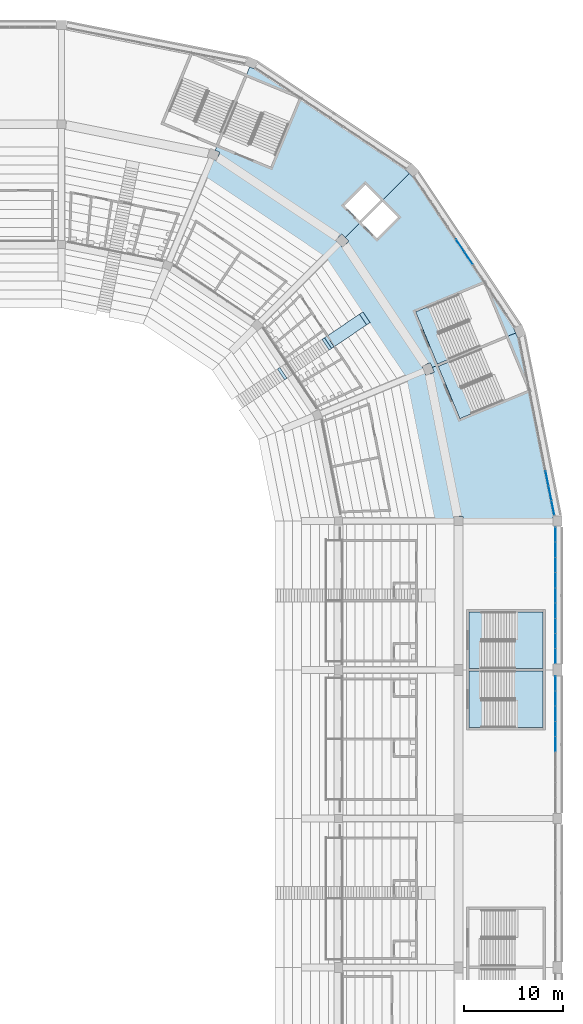
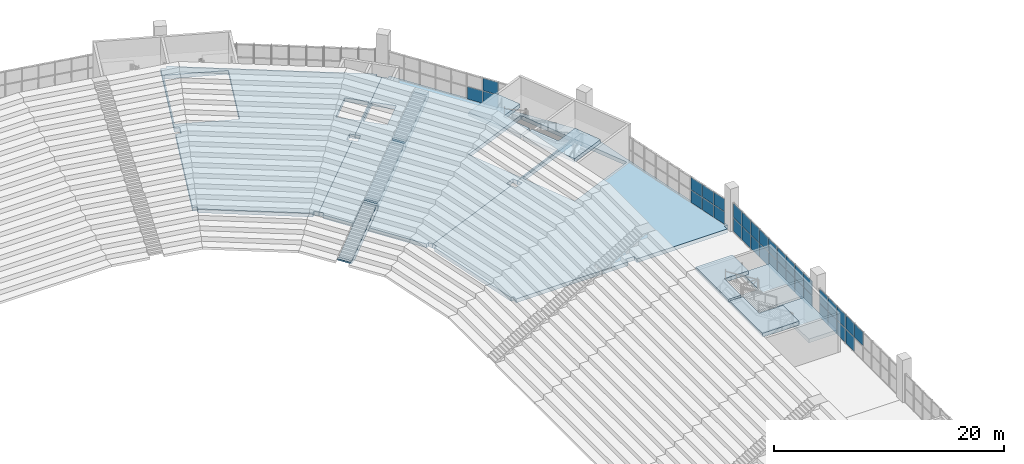
# One storey, part 82 of 249: 36 plates, 12 slabs, 8 elements without a shape of their own.
"""IFC4 building model written with IfcOpenShell, lengths in metres."""

from ifc_helpers import new_model, si_unit, direction, frame, origin, origin_2d, place, context, subcontext, project, spatial, polyline, rectangle, outline, extrude, material, layer, layer_set, type_object, element, aggregate, save


model = new_model("IFC4")

# Units and contexts
model_context = context("Model", 3, precision=1e-05, world=origin(), true_north=direction((0.0, 1.0)))
body_context = subcontext(model_context, "Body", "Model", "MODEL_VIEW")
ifc_project = project(units=[si_unit("LENGTHUNIT", "METRE"), si_unit("AREAUNIT", "SQUARE_METRE"), si_unit("VOLUMEUNIT", "CUBIC_METRE"), si_unit("PLANEANGLEUNIT", "RADIAN"), si_unit("MASSUNIT", "GRAM", prefix="KILO")], contexts=[model_context])

# Site, building, storey
site_placement = place(None, origin())
site = spatial("IfcSite", under=ifc_project, at=site_placement, CompositionType="ELEMENT")
building_placement = place(site_placement, origin())
building = spatial("IfcBuilding", under=site, at=building_placement, Name="Ogive Plaza Stadium", CompositionType="ELEMENT")
storey_placement = place(building_placement, frame((0.0, 0.0, 13.5)))
storey = spatial("IfcBuildingStorey", under=building, at=storey_placement, Name="L03", CompositionType="ELEMENT", Elevation=13.5)

# Slabs
ifc_material_1 = material(Name="Concrete C40/50", Category="concrete")
ifc_layer_1 = layer(ifc_material_1, 0.73486328125)
ifc_layer_set_1 = layer_set([ifc_layer_1], Name="Concrete C40/50")
ifc_layer_2 = layer(ifc_material_1, 0.449951171875)
ifc_layer_set_2 = layer_set([ifc_layer_2], Name="Concrete C40/50")
slab_type_1 = type_object("IfcSlabType", Name="Aisle stair slab 1300", PredefinedType="USERDEFINED", material=ifc_layer_set_2)
slab_1_placement = place(storey_placement, frame((51.876708984375, 64.44482421875, -13.5), z_axis=(0.0, 0.0, 1.0), x_axis=(0.831469612303, 0.55557023302, 0.0)))
element("IfcSlab", 1, at=slab_1_placement, inside=storey, type_object=slab_type_1, material=ifc_layer_set_1, Name="Aisle stair SA39U slab 1", ObjectType="AISLE STAIR SLAB", PredefinedType="USERDEFINED", context=body_context, shape_type="SweptSolid", body=[
    extrude(outline(polyline([(0.0, 14.0), (0.2958984375, 14.0), (5.10009765625, 16.825927734375), (5.39990234375, 16.825927734375), (5.39990234375, 16.300048828125), (5.359375, 16.27734375), (5.209228515625, 16.194091796875), (5.059326171875, 16.110595703125), (4.9091796875, 16.02734375), (4.75927734375, 15.944091796875), (4.609375, 15.860595703125), (4.459228515625, 15.77734375), (4.309326171875, 15.694091796875), (4.1591796875, 15.610595703125), (4.00927734375, 15.52734375), (3.859375, 15.444091796875), (3.709228515625, 15.360595703125), (3.559326171875, 15.27734375), (3.4091796875, 15.194091796875), (3.25927734375, 15.110595703125), (3.109375, 15.02734375), (2.959228515625, 14.944091796875), (2.809326171875, 14.860595703125), (2.6591796875, 14.77734375), (2.50927734375, 14.694091796875), (2.359375, 14.610595703125), (2.209228515625, 14.52734375), (2.059326171875, 14.444091796875), (1.9091796875, 14.360595703125), (1.75927734375, 14.27734375), (1.609375, 14.194091796875), (1.459228515625, 14.110595703125), (1.309326171875, 14.02734375), (1.1591796875, 13.944091796875), (1.00927734375, 13.860595703125), (0.859375, 13.77734375), (0.709228515625, 13.75), (0.559326171875, 13.75), (0.4091796875, 13.75), (0.25927734375, 13.75), (0.109375, 13.75), (0.0, 14.0)])), frame((0.0, 0.64990234375, 0.0), z_axis=(0.0, -1.0, 0.0), x_axis=(1.0, 0.0, 0.0)), (0.0, 0.0, 1.0), 1.300048828125),
])
ifc_layer_3 = layer(ifc_material_1, 0.75927734375)
ifc_layer_set_3 = layer_set([ifc_layer_3], Name="Concrete C40/50")
slab_2_placement = place(storey_placement, frame((56.366455078125, 67.44482421875, -13.5), z_axis=(0.0, 0.0, 1.0), x_axis=(0.831469612303, 0.55557023302, 0.0)))
element("IfcSlab", 2, at=slab_2_placement, inside=storey, type_object=slab_type_1, material=ifc_layer_set_3, Name="Aisle stair SA39U slab 2", ObjectType="AISLE STAIR SLAB", PredefinedType="USERDEFINED", context=body_context, shape_type="SweptSolid", body=[
    extrude(outline(polyline([(0.0, 17.0), (0.2958984375, 17.0), (5.10009765625, 19.825927734375), (5.39990234375, 19.825927734375), (5.39990234375, 19.300048828125), (5.25, 19.216796875), (5.10009765625, 19.13330078125), (4.949951171875, 19.050048828125), (4.800048828125, 18.966796875), (4.64990234375, 18.88330078125), (4.5, 18.800048828125), (4.35009765625, 18.716796875), (4.199951171875, 18.63330078125), (4.050048828125, 18.550048828125), (3.89990234375, 18.466796875), (3.75, 18.38330078125), (3.60009765625, 18.300048828125), (3.449951171875, 18.216796875), (3.300048828125, 18.13330078125), (3.14990234375, 18.050048828125), (3.0, 17.966796875), (2.85009765625, 17.88330078125), (2.699951171875, 17.800048828125), (2.550048828125, 17.716796875), (2.39990234375, 17.63330078125), (2.25, 17.550048828125), (2.10009765625, 17.466796875), (1.949951171875, 17.38330078125), (1.800048828125, 17.300048828125), (1.64990234375, 17.216796875), (1.5, 17.13330078125), (1.35009765625, 17.050048828125), (1.199951171875, 16.966796875), (1.050048828125, 16.88330078125), (0.89990234375, 16.800048828125), (0.75, 16.716796875), (0.60009765625, 16.63330078125), (0.449951171875, 16.550048828125), (0.300048828125, 16.466796875), (0.14990234375, 16.38330078125), (0.0, 16.300048828125), (0.0, 17.0)])), frame((0.0, 0.64990234375, 0.0), z_axis=(0.0, -1.0, 0.0), x_axis=(1.0, 0.0, 0.0)), (0.0, 0.0, 1.0), 1.300048828125),
])
ifc_layer_4 = layer(ifc_material_1, 0.81640625)
ifc_layer_set_4 = layer_set([ifc_layer_4], Name="Concrete C40/50")
slab_3_placement = place(storey_placement, frame((60.8564453125, 70.44482421875, -13.5), z_axis=(0.0, 0.0, 1.0), x_axis=(0.831469612303, 0.55557023302, 0.0)))
element("IfcSlab", 3, at=slab_3_placement, inside=storey, type_object=slab_type_1, material=ifc_layer_set_4, Name="Aisle stair SA39U slab 3", ObjectType="AISLE STAIR SLAB", PredefinedType="USERDEFINED", context=body_context, shape_type="SweptSolid", body=[
    extrude(outline(polyline([(0.0, 20.0), (0.2958984375, 20.0), (4.25, 22.325927734375), (4.675537109375, 22.325927734375), (4.675537109375, 21.897705078125), (4.64990234375, 21.88330078125), (4.5, 21.800048828125), (4.35009765625, 21.716796875), (4.199951171875, 21.63330078125), (4.050048828125, 21.550048828125), (3.89990234375, 21.466796875), (3.75, 21.38330078125), (3.60009765625, 21.300048828125), (3.449951171875, 21.216796875), (3.300048828125, 21.13330078125), (3.14990234375, 21.050048828125), (3.0, 20.966796875), (2.85009765625, 20.88330078125), (2.699951171875, 20.800048828125), (2.550048828125, 20.716796875), (2.39990234375, 20.63330078125), (2.25, 20.550048828125), (2.10009765625, 20.466796875), (1.949951171875, 20.38330078125), (1.800048828125, 20.300048828125), (1.64990234375, 20.216796875), (1.5, 20.13330078125), (1.35009765625, 20.050048828125), (1.199951171875, 19.966796875), (1.050048828125, 19.88330078125), (0.89990234375, 19.800048828125), (0.75, 19.716796875), (0.60009765625, 19.63330078125), (0.449951171875, 19.550048828125), (0.300048828125, 19.466796875), (0.14990234375, 19.38330078125), (0.0, 19.300048828125), (0.0, 20.0)])), frame((0.0, 0.64990234375, 0.0), z_axis=(0.0, -1.0, 0.0), x_axis=(1.0, 0.0, 0.0)), (0.0, 0.0, 1.0), 1.300048828125),
])

# Curtain wall, plates
ifc_material_2 = material(Name="Bronze-anodised aluminium with laminated glass", Category="aluminium")
curtain_wall_type = type_object("IfcCurtainWallType", Name="Lancet curtain wall", PredefinedType="NOTDEFINED", material=ifc_material_2)
curtain_wall_1_placement = place(storey_placement, origin())
curtain_wall_1 = element("IfcCurtainWall", 4, at=curtain_wall_1_placement, inside=storey, type_object=curtain_wall_type, Name="CURTAIN WALL B01 L03", PredefinedType="NOTDEFINED")
ifc_material_3 = material(Name="Laminated glass", Category="glass")
ifc_layer_5 = layer(ifc_material_3, 0.028076171875)
ifc_layer_set_5 = layer_set([ifc_layer_5], Name="Laminated glass panel 28")
plate_type = type_object("IfcPlateType", Name="Laminated glass panel 28", PredefinedType="CURTAIN_PANEL", material=ifc_layer_set_5)
plate_1_placement = place(storey_placement, frame((83.800048828125, 51.120849609375, 0.0498046875), z_axis=(0.0, 0.0, 1.0), x_axis=(0.0, -1.0, 0.0)))
plate_1 = element("IfcPlate", 5, at=plate_1_placement, type_object=plate_type, Name="CW-B01-L03 panel 1.1", PredefinedType="CURTAIN_PANEL", context=body_context, shape_type="SweptSolid", body=[
    extrude(rectangle(XDim=1.458251953125, YDim=0.028076171875, at=origin_2d()), origin(), (0.0, 0.0, 1.0), 1.469970703125),
])
plate_2_placement = place(storey_placement, frame((83.800048828125, 51.120849609375, 1.56982421875), z_axis=(0.0, 0.0, 1.0), x_axis=(0.0, -1.0, 0.0)))
plate_2 = element("IfcPlate", 6, at=plate_2_placement, type_object=plate_type, Name="CW-B01-L03 panel 1.2", PredefinedType="CURTAIN_PANEL", context=body_context, shape_type="SweptSolid", body=[
    extrude(rectangle(XDim=1.458251953125, YDim=0.028076171875, at=origin_2d()), origin(), (0.0, 0.0, 1.0), 1.469970703125),
])
plate_3_placement = place(storey_placement, frame((83.800048828125, 49.60009765625, 0.0498046875), z_axis=(0.0, 0.0, 1.0), x_axis=(0.0, -1.0, 0.0)))
plate_3 = element("IfcPlate", 7, at=plate_3_placement, type_object=plate_type, Name="CW-B01-L03 panel 2.1", PredefinedType="CURTAIN_PANEL", context=body_context, shape_type="SweptSolid", body=[
    extrude(rectangle(XDim=1.4833984375, YDim=0.028076171875, at=origin_2d()), origin(), (0.0, 0.0, 1.0), 1.469970703125),
])
plate_4_placement = place(storey_placement, frame((83.800048828125, 49.60009765625, 1.56982421875), z_axis=(0.0, 0.0, 1.0), x_axis=(0.0, -1.0, 0.0)))
plate_4 = element("IfcPlate", 8, at=plate_4_placement, type_object=plate_type, Name="CW-B01-L03 panel 2.2", PredefinedType="CURTAIN_PANEL", context=body_context, shape_type="SweptSolid", body=[
    extrude(rectangle(XDim=1.4833984375, YDim=0.028076171875, at=origin_2d()), origin(), (0.0, 0.0, 1.0), 1.469970703125),
])
plate_5_placement = place(storey_placement, frame((83.800048828125, 48.066650390625, 0.0498046875), z_axis=(0.0, 0.0, 1.0), x_axis=(0.0, -1.0, 0.0)))
plate_5 = element("IfcPlate", 9, at=plate_5_placement, type_object=plate_type, Name="CW-B01-L03 panel 3.1", PredefinedType="CURTAIN_PANEL", context=body_context, shape_type="SweptSolid", body=[
    extrude(rectangle(XDim=1.4833984375, YDim=0.028076171875, at=origin_2d()), origin(), (0.0, 0.0, 1.0), 1.469970703125),
])
plate_6_placement = place(storey_placement, frame((83.800048828125, 48.066650390625, 1.56982421875), z_axis=(0.0, 0.0, 1.0), x_axis=(0.0, -1.0, 0.0)))
plate_6 = element("IfcPlate", 10, at=plate_6_placement, type_object=plate_type, Name="CW-B01-L03 panel 3.2", PredefinedType="CURTAIN_PANEL", context=body_context, shape_type="SweptSolid", body=[
    extrude(rectangle(XDim=1.4833984375, YDim=0.028076171875, at=origin_2d()), origin(), (0.0, 0.0, 1.0), 1.469970703125),
])
plate_7_placement = place(storey_placement, frame((83.800048828125, 46.533447265625, 0.0498046875), z_axis=(0.0, 0.0, 1.0), x_axis=(0.0, -1.0, 0.0)))
plate_7 = element("IfcPlate", 11, at=plate_7_placement, type_object=plate_type, Name="CW-B01-L03 panel 4.1", PredefinedType="CURTAIN_PANEL", context=body_context, shape_type="SweptSolid", body=[
    extrude(rectangle(XDim=1.4833984375, YDim=0.028076171875, at=origin_2d()), origin(), (0.0, 0.0, 1.0), 1.469970703125),
])
plate_8_placement = place(storey_placement, frame((83.800048828125, 46.533447265625, 1.56982421875), z_axis=(0.0, 0.0, 1.0), x_axis=(0.0, -1.0, 0.0)))
plate_8 = element("IfcPlate", 12, at=plate_8_placement, type_object=plate_type, Name="CW-B01-L03 panel 4.2", PredefinedType="CURTAIN_PANEL", context=body_context, shape_type="SweptSolid", body=[
    extrude(rectangle(XDim=1.4833984375, YDim=0.028076171875, at=origin_2d()), origin(), (0.0, 0.0, 1.0), 1.469970703125),
])
plate_9_placement = place(storey_placement, frame((83.800048828125, 45.0, 0.0498046875), z_axis=(0.0, 0.0, 1.0), x_axis=(0.0, -1.0, 0.0)))
plate_9 = element("IfcPlate", 13, at=plate_9_placement, type_object=plate_type, Name="CW-B01-L03 panel 5.1", PredefinedType="CURTAIN_PANEL", context=body_context, shape_type="SweptSolid", body=[
    extrude(rectangle(XDim=1.4833984375, YDim=0.028076171875, at=origin_2d()), origin(), (0.0, 0.0, 1.0), 1.469970703125),
])
plate_10_placement = place(storey_placement, frame((83.800048828125, 45.0, 1.56982421875), z_axis=(0.0, 0.0, 1.0), x_axis=(0.0, -1.0, 0.0)))
plate_10 = element("IfcPlate", 14, at=plate_10_placement, type_object=plate_type, Name="CW-B01-L03 panel 5.2", PredefinedType="CURTAIN_PANEL", context=body_context, shape_type="SweptSolid", body=[
    extrude(rectangle(XDim=1.4833984375, YDim=0.028076171875, at=origin_2d()), origin(), (0.0, 0.0, 1.0), 1.469970703125),
])
plate_11_placement = place(storey_placement, frame((83.800048828125, 43.466552734375, 0.0498046875), z_axis=(0.0, 0.0, 1.0), x_axis=(0.0, -1.0, 0.0)))
plate_11 = element("IfcPlate", 15, at=plate_11_placement, type_object=plate_type, Name="CW-B01-L03 panel 6.1", PredefinedType="CURTAIN_PANEL", context=body_context, shape_type="SweptSolid", body=[
    extrude(rectangle(XDim=1.4833984375, YDim=0.028076171875, at=origin_2d()), origin(), (0.0, 0.0, 1.0), 1.469970703125),
])
plate_12_placement = place(storey_placement, frame((83.800048828125, 43.466552734375, 1.56982421875), z_axis=(0.0, 0.0, 1.0), x_axis=(0.0, -1.0, 0.0)))
plate_12 = element("IfcPlate", 16, at=plate_12_placement, type_object=plate_type, Name="CW-B01-L03 panel 6.2", PredefinedType="CURTAIN_PANEL", context=body_context, shape_type="SweptSolid", body=[
    extrude(rectangle(XDim=1.4833984375, YDim=0.028076171875, at=origin_2d()), origin(), (0.0, 0.0, 1.0), 1.469970703125),
])
plate_13_placement = place(storey_placement, frame((83.800048828125, 41.933349609375, 0.0498046875), z_axis=(0.0, 0.0, 1.0), x_axis=(0.0, -1.0, 0.0)))
plate_13 = element("IfcPlate", 17, at=plate_13_placement, type_object=plate_type, Name="CW-B01-L03 panel 7.1", PredefinedType="CURTAIN_PANEL", context=body_context, shape_type="SweptSolid", body=[
    extrude(rectangle(XDim=1.4833984375, YDim=0.028076171875, at=origin_2d()), origin(), (0.0, 0.0, 1.0), 1.469970703125),
])
plate_14_placement = place(storey_placement, frame((83.800048828125, 41.933349609375, 1.56982421875), z_axis=(0.0, 0.0, 1.0), x_axis=(0.0, -1.0, 0.0)))
plate_14 = element("IfcPlate", 18, at=plate_14_placement, type_object=plate_type, Name="CW-B01-L03 panel 7.2", PredefinedType="CURTAIN_PANEL", context=body_context, shape_type="SweptSolid", body=[
    extrude(rectangle(XDim=1.4833984375, YDim=0.028076171875, at=origin_2d()), origin(), (0.0, 0.0, 1.0), 1.469970703125),
])
plate_15_placement = place(storey_placement, frame((83.800048828125, 40.39990234375, 0.0498046875), z_axis=(0.0, 0.0, 1.0), x_axis=(0.0, -1.0, 0.0)))
plate_15 = element("IfcPlate", 19, at=plate_15_placement, type_object=plate_type, Name="CW-B01-L03 panel 8.1", PredefinedType="CURTAIN_PANEL", context=body_context, shape_type="SweptSolid", body=[
    extrude(rectangle(XDim=1.4833984375, YDim=0.028076171875, at=origin_2d()), origin(), (0.0, 0.0, 1.0), 1.469970703125),
])
plate_16_placement = place(storey_placement, frame((83.800048828125, 40.39990234375, 1.56982421875), z_axis=(0.0, 0.0, 1.0), x_axis=(0.0, -1.0, 0.0)))
plate_16 = element("IfcPlate", 20, at=plate_16_placement, type_object=plate_type, Name="CW-B01-L03 panel 8.2", PredefinedType="CURTAIN_PANEL", context=body_context, shape_type="SweptSolid", body=[
    extrude(rectangle(XDim=1.4833984375, YDim=0.028076171875, at=origin_2d()), origin(), (0.0, 0.0, 1.0), 1.469970703125),
])
plate_17_placement = place(storey_placement, frame((83.800048828125, 38.879150390625, 0.0498046875), z_axis=(0.0, 0.0, 1.0), x_axis=(0.0, -1.0, 0.0)))
plate_17 = element("IfcPlate", 21, at=plate_17_placement, type_object=plate_type, Name="CW-B01-L03 panel 9.1", PredefinedType="CURTAIN_PANEL", context=body_context, shape_type="SweptSolid", body=[
    extrude(rectangle(XDim=1.458251953125, YDim=0.028076171875, at=origin_2d()), origin(), (0.0, 0.0, 1.0), 1.469970703125),
])
plate_18_placement = place(storey_placement, frame((83.800048828125, 38.879150390625, 1.56982421875), z_axis=(0.0, 0.0, 1.0), x_axis=(0.0, -1.0, 0.0)))
plate_18 = element("IfcPlate", 22, at=plate_18_placement, type_object=plate_type, Name="CW-B01-L03 panel 9.2", PredefinedType="CURTAIN_PANEL", context=body_context, shape_type="SweptSolid", body=[
    extrude(rectangle(XDim=1.458251953125, YDim=0.028076171875, at=origin_2d()), origin(), (0.0, 0.0, 1.0), 1.469970703125),
])
aggregate(curtain_wall_1, [plate_1, plate_2, plate_3, plate_4, plate_5, plate_6, plate_7, plate_8, plate_9, plate_10, plate_11, plate_12, plate_13, plate_14, plate_15, plate_16, plate_17, plate_18])

curtain_wall_2_placement = place(storey_placement, origin())
curtain_wall_2 = element("IfcCurtainWall", 23, at=curtain_wall_2_placement, inside=storey, type_object=curtain_wall_type, Name="CURTAIN WALL B02 L03", PredefinedType="NOTDEFINED")
plate_19_placement = place(storey_placement, frame((83.800048828125, 36.120849609375, 0.0498046875), z_axis=(0.0, 0.0, 1.0), x_axis=(0.0, -1.0, 0.0)))
plate_19 = element("IfcPlate", 24, at=plate_19_placement, type_object=plate_type, Name="CW-B02-L03 panel 1.1", PredefinedType="CURTAIN_PANEL", context=body_context, shape_type="SweptSolid", body=[
    extrude(rectangle(XDim=1.458251953125, YDim=0.028076171875, at=origin_2d()), origin(), (0.0, 0.0, 1.0), 1.469970703125),
])
plate_20_placement = place(storey_placement, frame((83.800048828125, 36.120849609375, 1.56982421875), z_axis=(0.0, 0.0, 1.0), x_axis=(0.0, -1.0, 0.0)))
plate_20 = element("IfcPlate", 25, at=plate_20_placement, type_object=plate_type, Name="CW-B02-L03 panel 1.2", PredefinedType="CURTAIN_PANEL", context=body_context, shape_type="SweptSolid", body=[
    extrude(rectangle(XDim=1.458251953125, YDim=0.028076171875, at=origin_2d()), origin(), (0.0, 0.0, 1.0), 1.469970703125),
])
plate_21_placement = place(storey_placement, frame((83.800048828125, 34.60009765625, 0.0498046875), z_axis=(0.0, 0.0, 1.0), x_axis=(0.0, -1.0, 0.0)))
plate_21 = element("IfcPlate", 26, at=plate_21_placement, type_object=plate_type, Name="CW-B02-L03 panel 2.1", PredefinedType="CURTAIN_PANEL", context=body_context, shape_type="SweptSolid", body=[
    extrude(rectangle(XDim=1.4833984375, YDim=0.028076171875, at=origin_2d()), origin(), (0.0, 0.0, 1.0), 1.469970703125),
])
plate_22_placement = place(storey_placement, frame((83.800048828125, 34.60009765625, 1.56982421875), z_axis=(0.0, 0.0, 1.0), x_axis=(0.0, -1.0, 0.0)))
plate_22 = element("IfcPlate", 27, at=plate_22_placement, type_object=plate_type, Name="CW-B02-L03 panel 2.2", PredefinedType="CURTAIN_PANEL", context=body_context, shape_type="SweptSolid", body=[
    extrude(rectangle(XDim=1.4833984375, YDim=0.028076171875, at=origin_2d()), origin(), (0.0, 0.0, 1.0), 1.469970703125),
])
plate_23_placement = place(storey_placement, frame((83.800048828125, 33.066650390625, 0.0498046875), z_axis=(0.0, 0.0, 1.0), x_axis=(0.0, -1.0, 0.0)))
plate_23 = element("IfcPlate", 28, at=plate_23_placement, type_object=plate_type, Name="CW-B02-L03 panel 3.1", PredefinedType="CURTAIN_PANEL", context=body_context, shape_type="SweptSolid", body=[
    extrude(rectangle(XDim=1.4833984375, YDim=0.028076171875, at=origin_2d()), origin(), (0.0, 0.0, 1.0), 1.469970703125),
])
plate_24_placement = place(storey_placement, frame((83.800048828125, 33.066650390625, 1.56982421875), z_axis=(0.0, 0.0, 1.0), x_axis=(0.0, -1.0, 0.0)))
plate_24 = element("IfcPlate", 29, at=plate_24_placement, type_object=plate_type, Name="CW-B02-L03 panel 3.2", PredefinedType="CURTAIN_PANEL", context=body_context, shape_type="SweptSolid", body=[
    extrude(rectangle(XDim=1.4833984375, YDim=0.028076171875, at=origin_2d()), origin(), (0.0, 0.0, 1.0), 1.469970703125),
])
plate_25_placement = place(storey_placement, frame((83.800048828125, 31.533447265625, 0.0498046875), z_axis=(0.0, 0.0, 1.0), x_axis=(0.0, -1.0, 0.0)))
plate_25 = element("IfcPlate", 30, at=plate_25_placement, type_object=plate_type, Name="CW-B02-L03 panel 4.1", PredefinedType="CURTAIN_PANEL", context=body_context, shape_type="SweptSolid", body=[
    extrude(rectangle(XDim=1.4833984375, YDim=0.028076171875, at=origin_2d()), origin(), (0.0, 0.0, 1.0), 1.469970703125),
])
plate_26_placement = place(storey_placement, frame((83.800048828125, 31.533447265625, 1.56982421875), z_axis=(0.0, 0.0, 1.0), x_axis=(0.0, -1.0, 0.0)))
plate_26 = element("IfcPlate", 31, at=plate_26_placement, type_object=plate_type, Name="CW-B02-L03 panel 4.2", PredefinedType="CURTAIN_PANEL", context=body_context, shape_type="SweptSolid", body=[
    extrude(rectangle(XDim=1.4833984375, YDim=0.028076171875, at=origin_2d()), origin(), (0.0, 0.0, 1.0), 1.469970703125),
])
plate_27_placement = place(storey_placement, frame((83.800048828125, 30.0, 1.56982421875), z_axis=(0.0, 0.0, 1.0), x_axis=(0.0, -1.0, 0.0)))
plate_27 = element("IfcPlate", 32, at=plate_27_placement, type_object=plate_type, Name="CW-B02-L03 panel 5.2", PredefinedType="CURTAIN_PANEL", context=body_context, shape_type="SweptSolid", body=[
    extrude(rectangle(XDim=1.4833984375, YDim=0.028076171875, at=origin_2d()), origin(), (0.0, 0.0, 1.0), 1.469970703125),
])
aggregate(curtain_wall_2, [plate_19, plate_20, plate_21, plate_22, plate_23, plate_24, plate_25, plate_26, plate_27])

curtain_wall_3_placement = place(storey_placement, origin())
curtain_wall_3 = element("IfcCurtainWall", 33, at=curtain_wall_3_placement, inside=storey, type_object=curtain_wall_type, Name="CURTAIN WALL B39 L03", PredefinedType="NOTDEFINED")
plate_28_placement = place(storey_placement, frame((74.185546875, 80.2666015625, 0.0498046875), z_axis=(0.0, 0.0, 1.0), x_axis=(0.55557023302, -0.831469612303, 0.0)))
plate_28 = element("IfcPlate", 34, at=plate_28_placement, type_object=plate_type, Name="CW-B39-L03 panel 6.1", PredefinedType="CURTAIN_PANEL", context=body_context, shape_type="SweptSolid", body=[
    extrude(rectangle(XDim=1.472412109375, YDim=0.028076171875, at=origin_2d()), origin(), (0.0, 0.0, 1.0), 1.320068359375),
])
plate_29_placement = place(storey_placement, frame((75.03125, 79.000732421875, 0.0498046875), z_axis=(0.0, 0.0, 1.0), x_axis=(0.55557023302, -0.831469612303, 0.0)))
plate_29 = element("IfcPlate", 35, at=plate_29_placement, type_object=plate_type, Name="CW-B39-L03 panel 7.1", PredefinedType="CURTAIN_PANEL", context=body_context, shape_type="SweptSolid", body=[
    extrude(rectangle(XDim=1.472412109375, YDim=0.028076171875, at=origin_2d()), origin(), (0.0, 0.0, 1.0), 1.320068359375),
])
plate_30_placement = place(storey_placement, frame((75.03125, 79.000732421875, 1.419921875), z_axis=(0.0, 0.0, 1.0), x_axis=(0.55557023302, -0.831469612303, 0.0)))
plate_30 = element("IfcPlate", 36, at=plate_30_placement, type_object=plate_type, Name="CW-B39-L03 panel 7.2", PredefinedType="CURTAIN_PANEL", context=body_context, shape_type="SweptSolid", body=[
    extrude(rectangle(XDim=1.472412109375, YDim=0.028076171875, at=origin_2d()), origin(), (0.0, 0.0, 1.0), 1.320068359375),
])
aggregate(curtain_wall_3, [plate_28, plate_29, plate_30])

curtain_wall_4_placement = place(storey_placement, origin())
curtain_wall_4 = element("IfcCurtainWall", 37, at=curtain_wall_4_placement, inside=storey, type_object=curtain_wall_type, Name="CURTAIN WALL B40 L03", PredefinedType="NOTDEFINED")
plate_31_placement = place(storey_placement, frame((82.9404296875, 56.80224609375, 0.0498046875), z_axis=(0.0, 0.0, 1.0), x_axis=(0.195090322033, -0.9807852804, 0.0)))
plate_31 = element("IfcPlate", 38, at=plate_31_placement, type_object=plate_type, Name="CW-B40-L03 panel 10.1", PredefinedType="CURTAIN_PANEL", context=body_context, shape_type="SweptSolid", body=[
    extrude(rectangle(XDim=1.472412109375, YDim=0.028076171875, at=origin_2d()), origin(), (0.0, 0.0, 1.0), 1.320068359375),
])
plate_32_placement = place(storey_placement, frame((82.9404296875, 56.80224609375, 1.419921875), z_axis=(0.0, 0.0, 1.0), x_axis=(0.195090322033, -0.9807852804, 0.0)))
plate_32 = element("IfcPlate", 39, at=plate_32_placement, type_object=plate_type, Name="CW-B40-L03 panel 10.2", PredefinedType="CURTAIN_PANEL", context=body_context, shape_type="SweptSolid", body=[
    extrude(rectangle(XDim=1.472412109375, YDim=0.028076171875, at=origin_2d()), origin(), (0.0, 0.0, 1.0), 1.320068359375),
])
plate_33_placement = place(storey_placement, frame((83.2373046875, 55.30908203125, 0.0498046875), z_axis=(0.0, 0.0, 1.0), x_axis=(0.195090322033, -0.9807852804, 0.0)))
plate_33 = element("IfcPlate", 40, at=plate_33_placement, type_object=plate_type, Name="CW-B40-L03 panel 11.1", PredefinedType="CURTAIN_PANEL", context=body_context, shape_type="SweptSolid", body=[
    extrude(rectangle(XDim=1.472412109375, YDim=0.028076171875, at=origin_2d()), origin(), (0.0, 0.0, 1.0), 1.320068359375),
])
plate_34_placement = place(storey_placement, frame((83.2373046875, 55.30908203125, 1.419921875), z_axis=(0.0, 0.0, 1.0), x_axis=(0.195090322033, -0.9807852804, 0.0)))
plate_34 = element("IfcPlate", 41, at=plate_34_placement, type_object=plate_type, Name="CW-B40-L03 panel 11.2", PredefinedType="CURTAIN_PANEL", context=body_context, shape_type="SweptSolid", body=[
    extrude(rectangle(XDim=1.472412109375, YDim=0.028076171875, at=origin_2d()), origin(), (0.0, 0.0, 1.0), 1.320068359375),
])
plate_35_placement = place(storey_placement, frame((83.531982421875, 53.828369140625, 0.0498046875), z_axis=(0.0, 0.0, 1.0), x_axis=(0.195090322033, -0.9807852804, 0.0)))
plate_35 = element("IfcPlate", 42, at=plate_35_placement, type_object=plate_type, Name="CW-B40-L03 panel 12.1", PredefinedType="CURTAIN_PANEL", context=body_context, shape_type="SweptSolid", body=[
    extrude(rectangle(XDim=1.447265625, YDim=0.028076171875, at=origin_2d()), origin(), (0.0, 0.0, 1.0), 1.320068359375),
])
plate_36_placement = place(storey_placement, frame((83.531982421875, 53.828369140625, 1.419921875), z_axis=(0.0, 0.0, 1.0), x_axis=(0.195090322033, -0.9807852804, 0.0)))
plate_36 = element("IfcPlate", 43, at=plate_36_placement, type_object=plate_type, Name="CW-B40-L03 panel 12.2", PredefinedType="CURTAIN_PANEL", context=body_context, shape_type="SweptSolid", body=[
    extrude(rectangle(XDim=1.447265625, YDim=0.028076171875, at=origin_2d()), origin(), (0.0, 0.0, 1.0), 1.320068359375),
])
aggregate(curtain_wall_4, [plate_31, plate_32, plate_33, plate_34, plate_35, plate_36])

# Slabs
ifc_material_4 = material(Name="Concrete C40/50", Category="concrete")
ifc_layer_6 = layer(ifc_material_4, 0.409912109375)
ifc_layer_set_6 = layer_set([ifc_layer_6], Name="Concrete C40/50")
slab_type_2 = type_object("IfcSlabType", Name="RC floor slab 410", PredefinedType="FLOOR", material=ifc_layer_set_6)
slab_4_placement = place(storey_placement, frame((0.0, 0.0, -0.409912109375)))
element("IfcSlab", 44, at=slab_4_placement, inside=storey, type_object=slab_type_2, Name="Floor slab L03 B38", PredefinedType="FLOOR", context=body_context, shape_type="SweptSolid", body=[
    extrude(outline(polyline([(61.966064453125, 80.466064453125), (61.612548828125, 80.819580078125), (62.2490234375, 81.4560546875), (62.6025390625, 81.1025390625), (69.037109375, 87.537109375), (68.648193359375, 87.926025390625), (68.88916015625, 88.1669921875), (53.600341796875, 98.38232421875), (53.47021484375, 98.06787109375), (52.9619140625, 98.2783203125), (49.4794921875, 89.870849609375), (49.94140625, 89.6796875), (49.59716796875, 88.84814453125), (49.135009765625, 89.03955078125), (44.829833984375, 78.645751953125), (45.24560546875, 78.4736328125), (45.135009765625, 78.2060546875), (53.48828125, 72.62451171875), (53.69287109375, 72.829345703125), (54.01123046875, 72.51123046875), (61.966064453125, 80.466064453125)]), holes=[polyline([(62.51416015625, 84.30224609375), (64.06982421875, 82.74658203125), (66.19091796875, 84.867919921875), (64.635498046875, 86.42333984375), (62.51416015625, 84.30224609375)]), polyline([(49.82470703125, 90.37744140625), (55.0908203125, 88.196044921875), (57.945556640625, 95.08837890625), (52.679443359375, 97.26953125), (49.82470703125, 90.37744140625)])]), origin(), (0.0, 0.0, 1.0), 0.409912109375),
])
slab_5_placement = place(storey_placement, frame((0.0, 0.0, -0.409912109375)))
element("IfcSlab", 45, at=slab_5_placement, inside=storey, type_object=slab_type_2, Name="Floor slab L03 B39", PredefinedType="FLOOR", context=body_context, shape_type="SweptSolid", body=[
    extrude(outline(polyline([(70.53955078125, 67.635009765625), (70.34814453125, 68.09716796875), (71.1796875, 68.44140625), (71.370849609375, 67.9794921875), (79.7783203125, 71.4619140625), (79.56787109375, 71.97021484375), (79.88232421875, 72.100341796875), (69.6669921875, 87.38916015625), (69.426025390625, 87.148193359375), (69.037109375, 87.537109375), (62.6025390625, 81.1025390625), (62.9560546875, 80.7490234375), (62.319580078125, 80.112548828125), (61.966064453125, 80.466064453125), (54.01123046875, 72.51123046875), (54.329345703125, 72.19287109375), (54.12451171875, 71.98828125), (59.7060546875, 63.635009765625), (59.9736328125, 63.74560546875), (60.145751953125, 63.329833984375), (70.53955078125, 67.635009765625)]), holes=[polyline([(69.696044921875, 73.5908203125), (71.87744140625, 68.32470703125), (78.76953125, 71.179443359375), (76.58837890625, 76.445556640625), (69.696044921875, 73.5908203125)]), polyline([(64.24658203125, 82.56982421875), (65.80224609375, 81.01416015625), (67.92333984375, 83.135498046875), (66.367919921875, 84.69091796875), (64.24658203125, 82.56982421875)])]), origin(), (0.0, 0.0, 1.0), 0.409912109375),
])
slab_6_placement = place(storey_placement, frame((0.0, 0.0, -0.409912109375)))
element("IfcSlab", 46, at=slab_6_placement, inside=storey, type_object=slab_type_2, Name="Floor slab L03 B40", PredefinedType="FLOOR", context=body_context, shape_type="SweptSolid", body=[
    extrude(outline(polyline([(73.550048828125, 52.5), (73.550048828125, 52.949951171875), (74.449951171875, 52.949951171875), (74.449951171875, 52.5), (83.550048828125, 52.5), (83.550048828125, 53.0), (83.900634765625, 53.0), (80.303466796875, 71.084228515625), (79.98876953125, 70.953857421875), (79.7783203125, 71.4619140625), (71.370849609375, 67.9794921875), (71.562255859375, 67.517578125), (70.730712890625, 67.173095703125), (70.53955078125, 67.635009765625), (60.145751953125, 63.329833984375), (60.318115234375, 62.914306640625), (60.050537109375, 62.803466796875), (62.0205078125, 52.89990234375), (62.300048828125, 52.89990234375), (62.300048828125, 52.5), (73.550048828125, 52.5)]), holes=[polyline([(71.97314453125, 68.09375), (74.154296875, 62.82763671875), (81.046630859375, 65.682373046875), (78.865234375, 70.948486328125), (71.97314453125, 68.09375)])]), origin(), (0.0, 0.0, 1.0), 0.409912109375),
])

# Stair, slabs
ifc_material_5 = material(Name="Concrete C40/50", Category="concrete")
stair_type = type_object("IfcStairType", Name="Exit stair", PredefinedType="STRAIGHT_RUN_STAIR", material=ifc_material_5)
stair_1_placement = place(storey_placement, origin())
stair_1 = element("IfcStair", 47, at=stair_1_placement, inside=storey, type_object=stair_type, Name="Exit stair ST02A L03 to L04", PredefinedType="STRAIGHT_RUN_STAIR")
ifc_material_6 = material(Name="Concrete C40/50", Category="concrete")
ifc_layer_7 = layer(ifc_material_6, 0.39990234375)
ifc_layer_set_7 = layer_set([ifc_layer_7], Name="Concrete C40/50")
slab_type_3 = type_object("IfcSlabType", Name="Stair landing", PredefinedType="LANDING", material=ifc_layer_set_7)
slab_7_placement = place(storey_placement, frame((0.0, 0.0, 1.85009765625)))
slab_7 = element("IfcSlab", 48, at=slab_7_placement, type_object=slab_type_3, Name="ST02A landing 1", PredefinedType="LANDING", context=body_context, shape_type="SweptSolid", body=[
    extrude(outline(polyline([(82.510009765625, 37.375), (82.510009765625, 31.675048828125), (79.7099609375, 31.675048828125), (79.7099609375, 34.574951171875), (77.31005859375, 34.574951171875), (77.31005859375, 37.375), (79.7099609375, 37.375), (82.510009765625, 37.375)])), origin(), (0.0, 0.0, 1.0), 0.39990234375),
])
slab_8_placement = place(storey_placement, frame((0.0, 0.0, 4.10009765625)))
slab_8 = element("IfcSlab", 49, at=slab_8_placement, type_object=slab_type_3, Name="ST02A landing 2", PredefinedType="LANDING", context=body_context, shape_type="SweptSolid", body=[
    extrude(outline(polyline([(78.75, 34.47509765625), (78.75, 31.675048828125), (76.35009765625, 31.675048828125), (75.050048828125, 31.675048828125), (75.050048828125, 37.375), (76.35009765625, 37.375), (76.35009765625, 34.47509765625), (78.75, 34.47509765625)])), origin(), (0.0, 0.0, 1.0), 0.39990234375),
])
aggregate(stair_1, [slab_7, slab_8])

stair_2_placement = place(storey_placement, origin())
stair_2 = element("IfcStair", 50, at=stair_2_placement, inside=storey, type_object=stair_type, Name="Exit stair ST02B L03 to L04", PredefinedType="STRAIGHT_RUN_STAIR")
slab_9_placement = place(storey_placement, frame((0.0, 0.0, 1.85009765625)))
slab_9 = element("IfcSlab", 51, at=slab_9_placement, type_object=slab_type_3, Name="ST02B landing 1", PredefinedType="LANDING", context=body_context, shape_type="SweptSolid", body=[
    extrude(outline(polyline([(77.31005859375, 37.625), (77.31005859375, 40.425048828125), (79.7099609375, 40.425048828125), (79.7099609375, 43.324951171875), (82.510009765625, 43.324951171875), (82.510009765625, 37.625), (79.7099609375, 37.625), (77.31005859375, 37.625)])), origin(), (0.0, 0.0, 1.0), 0.39990234375),
])
slab_10_placement = place(storey_placement, frame((0.0, 0.0, 4.10009765625)))
slab_10 = element("IfcSlab", 52, at=slab_10_placement, type_object=slab_type_3, Name="ST02B landing 2", PredefinedType="LANDING", context=body_context, shape_type="SweptSolid", body=[
    extrude(outline(polyline([(76.35009765625, 37.625), (75.050048828125, 37.625), (75.050048828125, 43.324951171875), (76.35009765625, 43.324951171875), (78.75, 43.324951171875), (78.75, 40.52490234375), (76.35009765625, 40.52490234375), (76.35009765625, 37.625)])), origin(), (0.0, 0.0, 1.0), 0.39990234375),
])
aggregate(stair_2, [slab_9, slab_10])

# Stair, slab
stair_3_placement = place(storey_placement, origin())
stair_3 = element("IfcStair", 53, at=stair_3_placement, inside=storey, type_object=stair_type, Name="Exit stair ST40A L03 to L04", PredefinedType="STRAIGHT_RUN_STAIR")
slab_11_placement = place(storey_placement, frame((0.0, 0.0, 4.10009765625)))
slab_11 = element("IfcSlab", 54, at=slab_11_placement, type_object=slab_type_3, Name="ST40A landing 2", PredefinedType="LANDING", context=body_context, shape_type="SweptSolid", body=[
    extrude(outline(polyline([(76.501220703125, 66.830322265625), (77.57275390625, 64.243408203125), (75.35546875, 63.324951171875), (74.154296875, 62.82763671875), (71.97314453125, 68.09375), (73.174072265625, 68.591064453125), (74.283935546875, 65.911865234375), (76.501220703125, 66.830322265625)])), origin(), (0.0, 0.0, 1.0), 0.39990234375),
])
aggregate(stair_3, [slab_11])

stair_4_placement = place(storey_placement, origin())
stair_4 = element("IfcStair", 55, at=stair_4_placement, inside=storey, type_object=stair_type, Name="Exit stair ST40B L03 to L04", PredefinedType="STRAIGHT_RUN_STAIR")
slab_12_placement = place(storey_placement, frame((0.0, 0.0, 4.10009765625)))
slab_12 = element("IfcSlab", 56, at=slab_12_placement, type_object=slab_type_3, Name="ST40B landing 2", PredefinedType="LANDING", context=body_context, shape_type="SweptSolid", body=[
    extrude(outline(polyline([(73.078369140625, 68.822021484375), (71.87744140625, 68.32470703125), (69.696044921875, 73.5908203125), (70.897216796875, 74.088134765625), (73.114501953125, 75.006591796875), (74.18603515625, 72.419921875), (71.96875, 71.50146484375), (73.078369140625, 68.822021484375)])), origin(), (0.0, 0.0, 1.0), 0.39990234375),
])
aggregate(stair_4, [slab_12])

save(model, "model.ifc")
